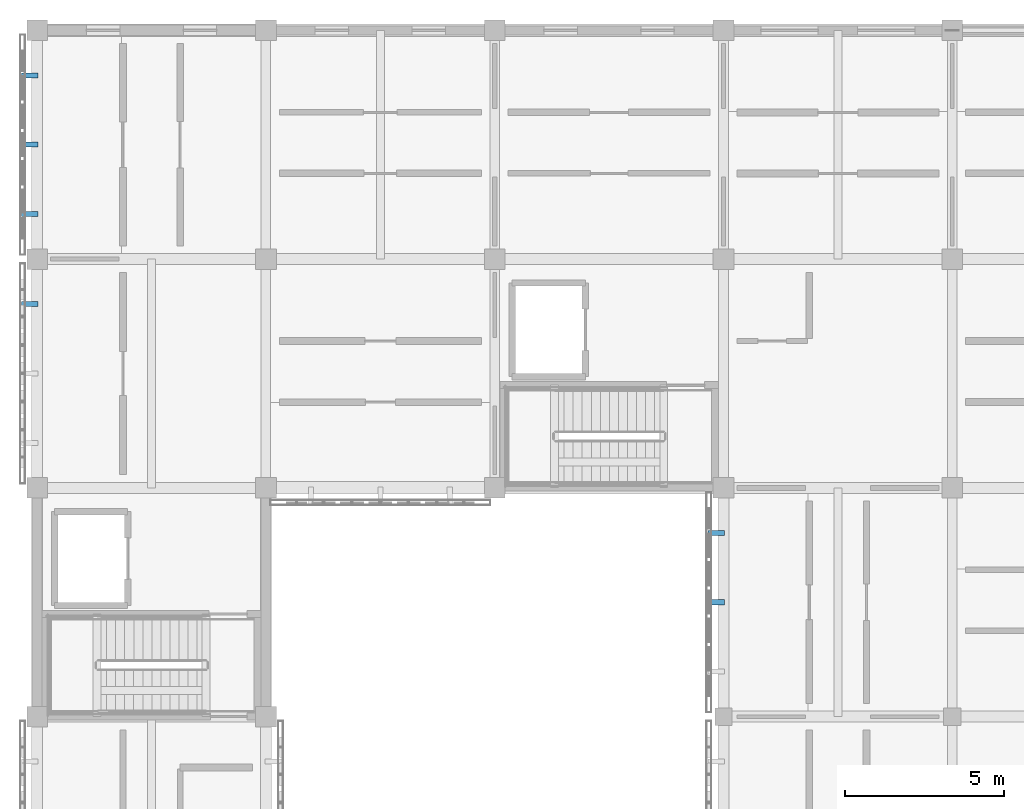
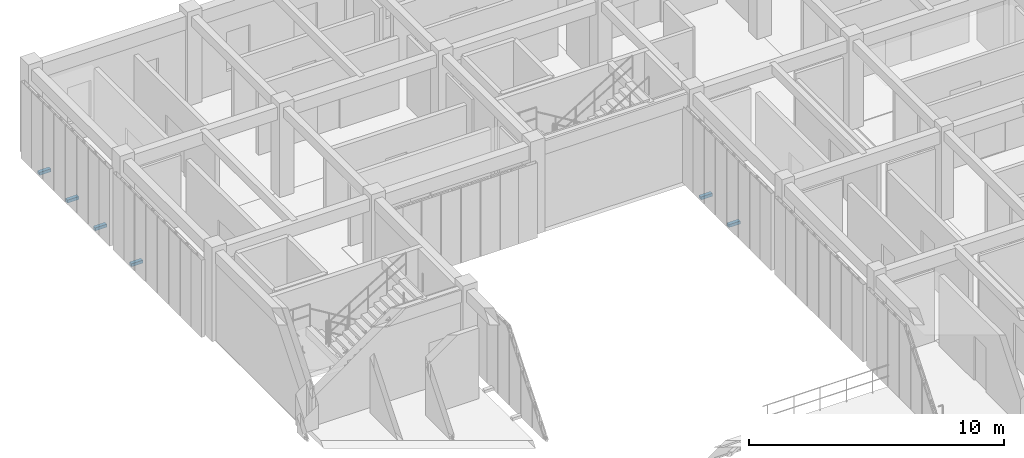
# One storey, part 84 of 91: 6 discrete accessories.
"""IFC4 building model written with IfcOpenShell, lengths in metres."""

from ifc_helpers import new_model, si_unit, direction, frame, origin, origin_2d, place, context, subcontext, project, spatial, rectangle, extrude, material, type_object, element, save


model = new_model("IFC4")

# Units and contexts
model_context = context("Model", 3, precision=1e-05, world=origin(), true_north=direction((0.0, 1.0)))
body_context = subcontext(model_context, "Body", "Model", "MODEL_VIEW")
ifc_project = project(units=[si_unit("LENGTHUNIT", "METRE"), si_unit("AREAUNIT", "SQUARE_METRE"), si_unit("VOLUMEUNIT", "CUBIC_METRE"), si_unit("PLANEANGLEUNIT", "RADIAN"), si_unit("MASSUNIT", "GRAM", prefix="KILO")], contexts=[model_context])

# Site, building, storey
site_placement = place(None, origin())
site = spatial("IfcSite", under=ifc_project, at=site_placement, CompositionType="ELEMENT")
building_placement = place(site_placement, origin())
building = spatial("IfcBuilding", under=site, at=building_placement, Name="Aldebral Square Health Centre", CompositionType="ELEMENT")
storey_placement = place(building_placement, frame((0.0, 0.0, 9.0)))
storey = spatial("IfcBuildingStorey", under=building, at=storey_placement, Name="L02", CompositionType="ELEMENT", Elevation=9.0)

# Discrete accessories
ifc_material = material(Name="Steel S355JR", Category="steel")
discrete_accessory_type = type_object("IfcDiscreteAccessoryType", Name="ACC-BRK-1", PredefinedType="BRACKET", material=ifc_material)
for number, where, z_axis, x_axis, name in (
    (1, (-0.22998046875, 106.583984375, -0.009765625), (0.0, 0.0, 1.0), (0.0, 1.0, 0.0), "L02 finned curtain-wall bracket L02-V4-00-14-W.1"),
    (2, (-0.22998046875, 113.783935546875, -0.009765625), (0.0, 0.0, 1.0), (0.0, 1.0, 0.0), "L02 finned curtain-wall bracket L02-V4-00-15-W.1"),
    (3, (-0.22998046875, 111.60009765625, -0.009765625), (0.0, 0.0, 1.0), (0.0, 1.0, 0.0), "L02 finned curtain-wall bracket L02-V4-00-15-W.2"),
    (4, (-0.22998046875, 109.416015625, -0.009765625), (0.0, 0.0, 1.0), (0.0, 1.0, 0.0), "L02 finned curtain-wall bracket L02-V4-00-15-W.3"),
    (5, (21.3701171875, 99.384033203125, -0.009765625), (0.0, 0.0, 1.0), (0.0, 1.0, 0.0), "L02 finned curtain-wall bracket L02-V4-03-13-W.1"),
    (6, (21.3701171875, 97.199951171875, -0.009765625), (0.0, 0.0, 1.0), (0.0, 1.0, 0.0), "L02 finned curtain-wall bracket L02-V4-03-13-W.2"),
):
    element("IfcDiscreteAccessory", number, at=place(storey_placement, frame(where, z_axis=z_axis, x_axis=x_axis)), inside=storey, type_object=discrete_accessory_type, Name=name, PredefinedType="BRACKET", context=body_context, shape_type="SweptSolid", body=[
        extrude(rectangle(XDim=0.159912109375, YDim=0.52001953125, at=origin_2d()), origin(), (0.0, 0.0, 1.0), 0.139892578125),
    ])

save(model, "model.ifc")
